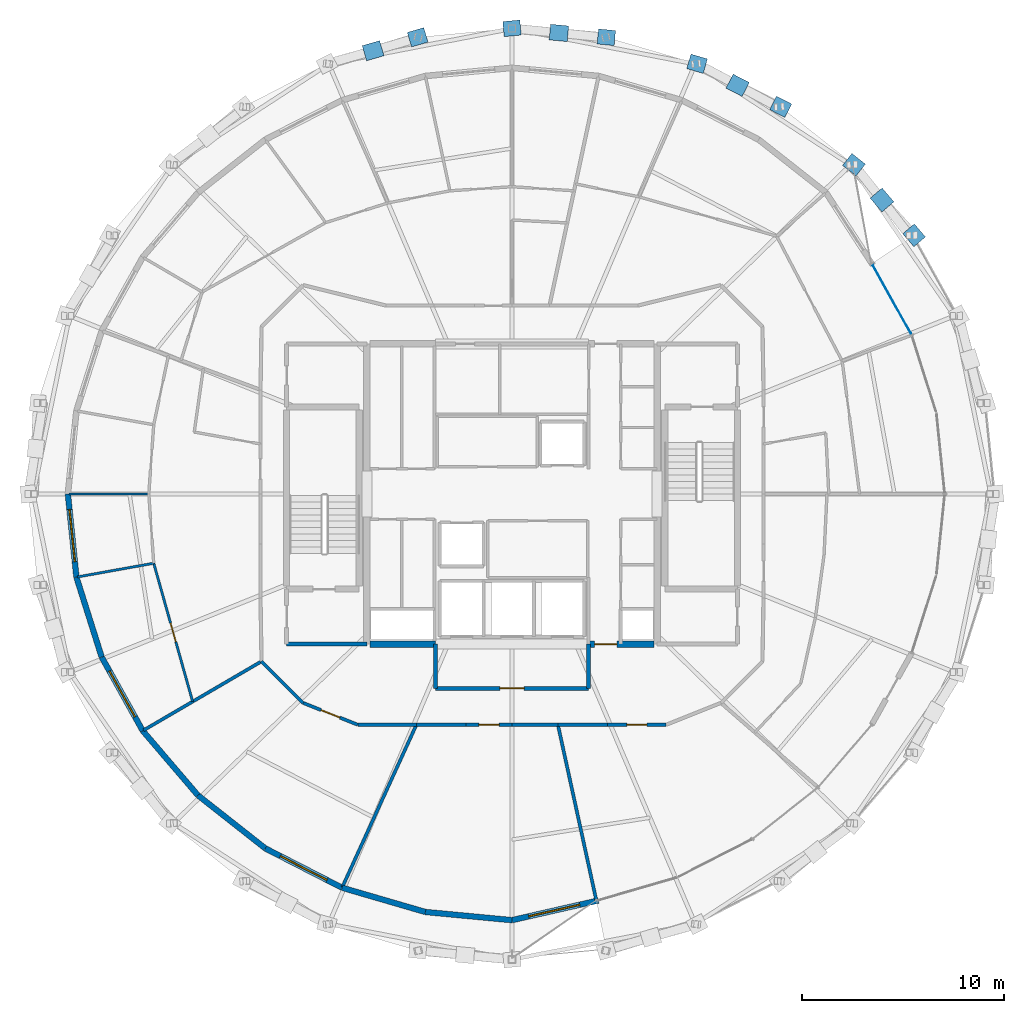
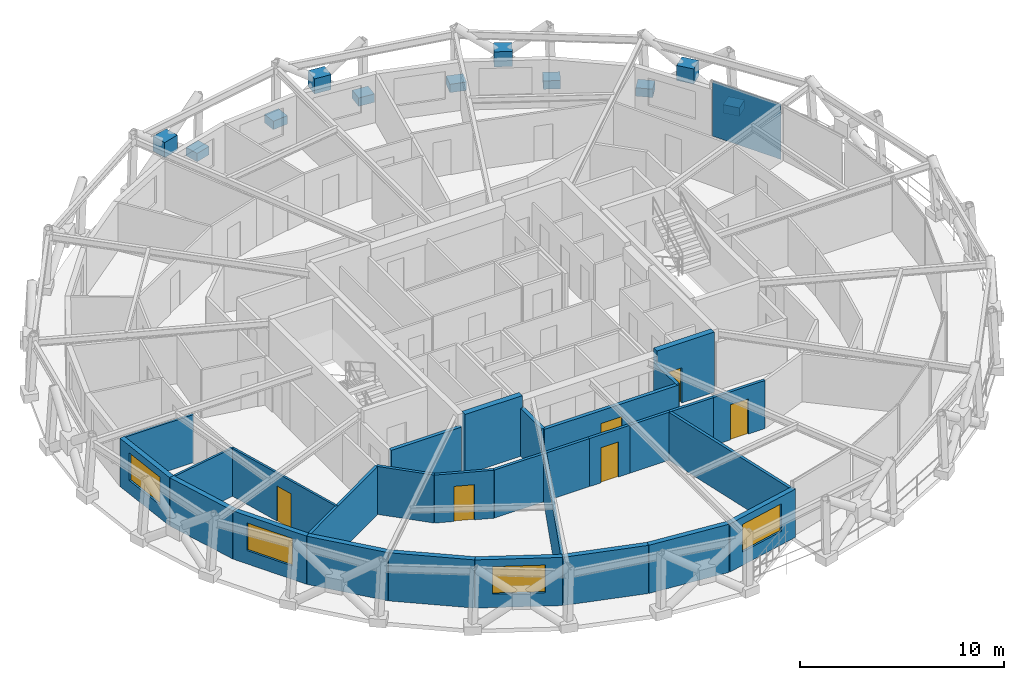
# One storey, part 11 of 17: 29 walls, 12 plates, 6 doors, 4 windows, 10 openings, 1 element without a shape of its own.
"""IFC4 building model written with IfcOpenShell, lengths in metres."""

from ifc_helpers import new_model, si_unit, direction, frame, frame_2d, origin, origin_2d, place, context, subcontext, project, spatial, rectangle, extrude, material, layer, layer_set, type_object, element, fill, aggregate, save


model = new_model("IFC4")

# Units and contexts
model_context = context("Model", 3, precision=1e-05, world=origin(), true_north=direction((0.0, 1.0)))
body_context = subcontext(model_context, "Body", "Model", "MODEL_VIEW")
ifc_project = project(units=[si_unit("LENGTHUNIT", "METRE"), si_unit("AREAUNIT", "SQUARE_METRE"), si_unit("VOLUMEUNIT", "CUBIC_METRE"), si_unit("PLANEANGLEUNIT", "RADIAN"), si_unit("MASSUNIT", "GRAM", prefix="KILO")], contexts=[model_context])

# Site, building, storey
site_placement = place(None, origin())
site = spatial("IfcSite", under=ifc_project, at=site_placement, CompositionType="ELEMENT")
building_placement = place(site_placement, origin())
building = spatial("IfcBuilding", under=site, at=building_placement, Name="Veldorina Hangang Commons", CompositionType="ELEMENT")
storey_placement = place(building_placement, frame((0.0, 0.0, 236.39990234375)))
storey = spatial("IfcBuildingStorey", under=building, at=storey_placement, Name="L61", CompositionType="ELEMENT", Elevation=236.39990234375)

# Curtain wall, plate
ifc_material_1 = material(Name="Glass Low-E Selective", Category="glass")
ifc_layer_1 = layer(ifc_material_1, 0.179931640625)
ifc_layer_set_1 = layer_set([ifc_layer_1], Name="Glass Low-E Selective")
curtain_wall_type = type_object("IfcCurtainWallType", Name="CW-SYS-Z3", PredefinedType="NOTDEFINED", material=ifc_layer_set_1)
curtain_wall_placement = place(storey_placement, origin())
curtain_wall = element("IfcCurtainWall", 1, at=curtain_wall_placement, inside=storey, type_object=curtain_wall_type, Name="L61 unitised curtain wall CW-L61-R2", PredefinedType="NOTDEFINED")
ifc_material_2 = material(Name="Glass Low-E Triple IGU", Category="glass")
ifc_layer_2 = layer(ifc_material_2, 0.0400390625)
ifc_layer_set_2 = layer_set([ifc_layer_2], Name="Glass Low-E Triple IGU")
plate_type_1 = type_object("IfcPlateType", Name="CW-PNL-VIS", PredefinedType="CURTAIN_PANEL", material=ifc_layer_set_2)
plate_1_placement = place(storey_placement, frame((50.84912109375, 33.657470703125, 0.01513671875), z_axis=(0.0, 0.0, 1.0), x_axis=(-0.487021489454, 0.873389986667, 0.0)))
plate_1 = element("IfcPlate", 2, at=plate_1_placement, type_object=plate_type_1, Name="CW-L61-R2 facet 5 glazed vision panel", PredefinedType="CURTAIN_PANEL", context=body_context, shape_type="SweptSolid", body=[
    extrude(rectangle(XDim=3.89501953125, YDim=0.0400390625, at=origin_2d()), origin(), (0.0, 0.0, 1.0), 3.2900390625),
])
aggregate(curtain_wall, [plate_1])

# Plates
ifc_material_3 = material(Name="Steel SM460-TMC", Category="steel")
ifc_layer_3 = layer(ifc_material_3, 0.035888671875)
ifc_layer_set_3 = layer_set([ifc_layer_3], Name="Steel SM460-TMC")
plate_type_2 = type_object("IfcPlateType", Name="PL-STAR-36", PredefinedType="USERDEFINED", material=ifc_layer_set_3)
plate_2_placement = place(storey_placement, frame((51.9521484375, 36.837158203125, -0.08984375), z_axis=(0.0, 0.0, 1.0), x_axis=(-0.648664680463, 0.761074327724, 0.0)))
element("IfcPlate", 3, at=plate_2_placement, inside=storey, type_object=plate_type_2, Name="L61 diagrid star-node gusset plate 03", ObjectType="GUSSET PLATE", PredefinedType="USERDEFINED", context=body_context, shape_type="SweptSolid", body=[
    extrude(rectangle(XDim=0.85009765625, YDim=0.75, at=origin_2d()), origin(), (0.0, 0.0, 1.0), 0.5),
])
plate_3_placement = place(storey_placement, frame((50.3603515625, 38.587890625, 1.354736328125), z_axis=(0.0, 0.0, 1.0), x_axis=(-0.648664680463, 0.761074327724, 0.0)))
element("IfcPlate", 4, at=plate_3_placement, inside=storey, type_object=plate_type_2, Name="L61 diagrid X-crossing star-node gusset plate 03", ObjectType="GUSSET PLATE", PredefinedType="USERDEFINED", context=body_context, shape_type="SweptSolid", body=[
    extrude(rectangle(XDim=0.89990234375, YDim=0.780029296875, at=origin_2d()), origin(), (0.0, 0.0, 1.0), 0.89990234375),
])
for number, where, z_axis, x_axis, name in (
    (5, (48.968017578125, 40.33837890625, -0.08984375), (0.0, 0.0, 1.0), (-0.784592443852, 0.620011852347, 0.0), "L61 diagrid star-node gusset plate 04"),
    (6, (45.33154296875, 43.2119140625, -0.08984375), (0.0, 0.0, 1.0), (-0.889136982129, 0.457641155285, 0.0), "L61 diagrid star-node gusset plate 05"),
):
    element("IfcPlate", number, at=place(storey_placement, frame(where, z_axis=z_axis, x_axis=x_axis)), inside=storey, type_object=plate_type_2, Name=name, ObjectType="GUSSET PLATE", PredefinedType="USERDEFINED", context=body_context, shape_type="SweptSolid", body=[
        extrude(rectangle(XDim=0.85009765625, YDim=0.75, at=origin_2d()), origin(), (0.0, 0.0, 1.0), 0.5),
    ])
plate_4_placement = place(storey_placement, frame((43.19580078125, 44.27880859375, 1.3583984375), z_axis=(0.0, 0.0, 1.0), x_axis=(-0.889136982129, 0.457641155285, 0.0)))
element("IfcPlate", 7, at=plate_4_placement, inside=storey, type_object=plate_type_2, Name="L61 diagrid X-crossing star-node gusset plate 05", ObjectType="GUSSET PLATE", PredefinedType="USERDEFINED", context=body_context, shape_type="SweptSolid", body=[
    extrude(rectangle(XDim=0.89990234375, YDim=0.780029296875, at=origin_2d()), origin(), (0.0, 0.0, 1.0), 0.89990234375),
])
for number, where, z_axis, x_axis, name in (
    (8, (41.18310546875, 45.347412109375, -0.08984375), (0.0, 0.0, 1.0), (-0.959893418656, 0.28036516335, 0.0), "L61 diagrid star-node gusset plate 06"),
    (9, (36.681396484375, 46.662109375, -0.08984375), (0.0, 0.0, 1.0), (-0.995532350476, 0.094421073685, 0.0), "L61 diagrid star-node gusset plate 07"),
):
    element("IfcPlate", number, at=place(storey_placement, frame(where, z_axis=z_axis, x_axis=x_axis)), inside=storey, type_object=plate_type_2, Name=name, ObjectType="GUSSET PLATE", PredefinedType="USERDEFINED", context=body_context, shape_type="SweptSolid", body=[
        extrude(rectangle(XDim=0.85009765625, YDim=0.75, at=origin_2d()), origin(), (0.0, 0.0, 1.0), 0.5),
    ])
plate_5_placement = place(storey_placement, frame((34.327392578125, 46.879150390625, 1.3603515625), z_axis=(0.0, 0.0, 1.0), x_axis=(-0.995532350476, 0.094421073685, 0.0)))
element("IfcPlate", 10, at=plate_5_placement, inside=storey, type_object=plate_type_2, Name="L61 diagrid X-crossing star-node gusset plate 07", ObjectType="GUSSET PLATE", PredefinedType="USERDEFINED", context=body_context, shape_type="SweptSolid", body=[
    extrude(rectangle(XDim=0.89990234375, YDim=0.780029296875, at=origin_2d()), origin(), (0.0, 0.0, 1.0), 0.89990234375),
])
for number, where, z_axis, x_axis, name in (
    (11, (32.0, 47.106201171875, -0.08984375), (0.0, 0.0, 1.0), (-0.995532350476, -0.094421073685, 0.0), "L61 diagrid star-node gusset plate 08"),
    (12, (27.318603515625, 46.662109375, -0.08984375), (0.0, 0.0, 1.0), (-0.959893418656, -0.28036516335, 0.0), "L61 diagrid star-node gusset plate 09"),
):
    element("IfcPlate", number, at=place(storey_placement, frame(where, z_axis=z_axis, x_axis=x_axis)), inside=storey, type_object=plate_type_2, Name=name, ObjectType="GUSSET PLATE", PredefinedType="USERDEFINED", context=body_context, shape_type="SweptSolid", body=[
        extrude(rectangle(XDim=0.85009765625, YDim=0.75, at=origin_2d()), origin(), (0.0, 0.0, 1.0), 0.5),
    ])
plate_6_placement = place(storey_placement, frame((25.108154296875, 45.99560546875, 1.359619140625), z_axis=(0.0, 0.0, 1.0), x_axis=(-0.959893418656, -0.28036516335, 0.0)))
element("IfcPlate", 13, at=plate_6_placement, inside=storey, type_object=plate_type_2, Name="L61 diagrid X-crossing star-node gusset plate 09", ObjectType="GUSSET PLATE", PredefinedType="USERDEFINED", context=body_context, shape_type="SweptSolid", body=[
    extrude(rectangle(XDim=0.89990234375, YDim=0.780029296875, at=origin_2d()), origin(), (0.0, 0.0, 1.0), 0.89990234375),
])

# Wall
ifc_material_4 = material(Name="Concrete C50/60", Category="concrete")
ifc_layer_4 = layer(ifc_material_4, 0.320068359375)
ifc_layer_set_4 = layer_set([ifc_layer_4], Name="Concrete C50/60")
wall_type_1 = type_object("IfcWallType", Name="CW-RC320-C50", PredefinedType="SHEAR", material=ifc_layer_set_4)
wall_1_placement = place(storey_placement, frame((24.9599609375, 16.550048828125, 0.0), z_axis=(0.0, 0.0, 1.0), x_axis=(1.0, 0.0, 0.0)))
element("IfcWall", 14, at=wall_1_placement, inside=storey, type_object=wall_type_1, Name="L61 south-west core shear wall", PredefinedType="SHEAR", context=body_context, shape_type="SweptSolid", body=[
    extrude(rectangle(XDim=3.239990234375, YDim=0.320068359375, at=frame_2d((1.6201171875, 0.0))), origin(), (0.0, 0.0, 1.0), 3.60009765625),
])

# Wall, opening, door
wall_2_placement = place(storey_placement, frame((35.800048828125, 16.550048828125, 0.0), z_axis=(0.0, 0.0, 1.0), x_axis=(1.0, 0.0, 0.0)))
wall_2 = element("IfcWall", 15, at=wall_2_placement, inside=storey, type_object=wall_type_1, Name="L61 south-east core shear wall", PredefinedType="SHEAR", context=body_context, shape_type="SweptSolid", body=[
    extrude(rectangle(XDim=3.239990234375, YDim=0.320068359375, at=frame_2d((1.6201171875, 0.0))), origin(), (0.0, 0.0, 1.0), 3.60009765625),
])
opening_1_placement = place(wall_2_placement, frame((0.300048828125, 0.0, 0.0)))
opening_1 = element("IfcOpeningElement", 16, at=opening_1_placement, cuts=wall_2, Name="Opening D-08", PredefinedType="OPENING", context=body_context, shape_type="SweptSolid", body=[
    extrude(rectangle(XDim=1.10009765625, YDim=2.10009765625, at=frame_2d((0.550048828125, 1.050048828125))), frame((0.0, 0.169921875, 0.0), z_axis=(0.0, -1.0, 0.0), x_axis=(1.0, 0.0, 0.0)), (0.0, 0.0, 1.0), 0.340087890625),
])
ifc_material_5 = material(Name="Steel Fire-Rated Smoke Seal", Category="steel")
door_type_1 = type_object("IfcDoorType", Name="DR-FIRE-1100", OperationType="SINGLE_SWING_RIGHT", PredefinedType="DOOR", material=ifc_material_5)
door_1_placement = place(opening_1_placement, origin())
door_1 = element("IfcDoor", 17, at=door_1_placement, inside=storey, type_object=door_type_1, Name="L61 central lift lobby south corridor door", OperationType="SINGLE_SWING_RIGHT", OverallHeight=2.10009765625, OverallWidth=1.10009765625, PredefinedType="DOOR", context=body_context, shape_type="SweptSolid", body=[
    extrude(rectangle(XDim=1.10009765625, YDim=2.10009765625, at=frame_2d((0.550048828125, 1.050048828125))), frame((0.0, 0.02490234375, 0.0), z_axis=(0.0, -1.0, 0.0), x_axis=(1.0, 0.0, 0.0)), (0.0, 0.0, 1.0), 0.050048828125),
])
fill(opening_1, door_1)

# Wall, opening, window
ifc_material_6 = material(Name="Stone Roman Travertine", Category="masonry")
ifc_layer_5 = layer(ifc_material_6, 0.280029296875)
ifc_layer_set_5 = layer_set([ifc_layer_5], Name="Stone Roman Travertine")
wall_type_2 = type_object("IfcWallType", Name="EW-TRAV-280", PredefinedType="STANDARD", material=ifc_layer_set_5)
wall_3_placement = place(storey_placement, frame((9.963623046875, 24.0, 0.0), z_axis=(0.0, 0.0, 1.0), x_axis=(0.102137908712, -0.994770248652, 0.0)))
wall_3 = element("IfcWall", 18, at=wall_3_placement, inside=storey, type_object=wall_type_2, Name="L61 travertine facade wall 16", PredefinedType="STANDARD", context=body_context, shape_type="SweptSolid", body=[
    extrude(rectangle(XDim=4.147216796875, YDim=0.280029296875, at=frame_2d((2.07373046875, 0.0))), origin(), (0.0, 0.0, 1.0), 2.880126953125),
])
opening_2_placement = place(wall_3_placement, frame((0.7734375, 0.0, 0.800048828125)))
opening_2 = element("IfcOpeningElement", 19, at=opening_2_placement, cuts=wall_3, Name="Opening W-02", PredefinedType="OPENING", context=body_context, shape_type="SweptSolid", body=[
    extrude(rectangle(XDim=2.60009765625, YDim=1.64990234375, at=frame_2d((1.300048828125, 0.824951171875))), frame((0.0, 0.14990234375, 0.0), z_axis=(0.0, -1.0, 0.0), x_axis=(1.0, 0.0, 0.0)), (0.0, 0.0, 1.0), 0.300048828125),
])
window_type = type_object("IfcWindowType", Name="WIN-TWR-2600", PartitioningType="SINGLE_PANEL", PredefinedType="WINDOW", material=ifc_material_2)
window_1_placement = place(opening_2_placement, origin())
window_1 = element("IfcWindow", 20, at=window_1_placement, inside=storey, type_object=window_type, Name="L61 facade window 16", OverallHeight=1.64990234375, OverallWidth=2.60009765625, PartitioningType="SINGLE_PANEL", PredefinedType="WINDOW", context=body_context, shape_type="SweptSolid", body=[
    extrude(rectangle(XDim=2.60009765625, YDim=1.64990234375, at=frame_2d((1.300048828125, 0.824951171875))), frame((0.0, 0.030029296875, 0.0), z_axis=(0.0, -1.0, 0.0), x_axis=(1.0, 0.0, 0.0)), (0.0, 0.0, 1.0), 0.06005859375),
])
fill(opening_2, window_1)

# Wall
wall_4_placement = place(storey_placement, frame((10.38720703125, 19.87451171875, 0.0), z_axis=(0.0, 0.0, 1.0), x_axis=(0.301400977057, -0.953497483494, 0.0)))
element("IfcWall", 21, at=wall_4_placement, inside=storey, type_object=wall_type_2, Name="L61 travertine facade wall 17", PredefinedType="STANDARD", context=body_context, shape_type="SweptSolid", body=[
    extrude(rectangle(XDim=4.16015625, YDim=0.280029296875, at=frame_2d((2.080078125, 0.0))), origin(), (0.0, 0.0, 1.0), 2.880126953125),
])

# Wall, opening, window
wall_5_placement = place(storey_placement, frame((11.64111328125, 15.90771484375, 0.0), z_axis=(0.0, 0.0, 1.0), x_axis=(0.486628377496, -0.873609078602, 0.0)))
wall_5 = element("IfcWall", 22, at=wall_5_placement, inside=storey, type_object=wall_type_2, Name="L61 travertine facade wall 18", PredefinedType="STANDARD", context=body_context, shape_type="SweptSolid", body=[
    extrude(rectangle(XDim=4.1845703125, YDim=0.280029296875, at=frame_2d((2.09228515625, 0.0))), origin(), (0.0, 0.0, 1.0), 2.880126953125),
])
opening_3_placement = place(wall_5_placement, frame((0.79248046875, 0.0, 0.800048828125)))
opening_3 = element("IfcOpeningElement", 23, at=opening_3_placement, cuts=wall_5, Name="Opening W-02", PredefinedType="OPENING", context=body_context, shape_type="SweptSolid", body=[
    extrude(rectangle(XDim=2.60009765625, YDim=1.64990234375, at=frame_2d((1.300048828125, 0.824951171875))), frame((0.0, 0.14990234375, 0.0), z_axis=(0.0, -1.0, 0.0), x_axis=(1.0, 0.0, 0.0)), (0.0, 0.0, 1.0), 0.300048828125),
])
window_2_placement = place(opening_3_placement, origin())
window_2 = element("IfcWindow", 24, at=window_2_placement, inside=storey, type_object=window_type, Name="L61 facade window 18", OverallHeight=1.64990234375, OverallWidth=2.60009765625, PartitioningType="SINGLE_PANEL", PredefinedType="WINDOW", context=body_context, shape_type="SweptSolid", body=[
    extrude(rectangle(XDim=2.60009765625, YDim=1.64990234375, at=frame_2d((1.300048828125, 0.824951171875))), frame((0.0, 0.030029296875, 0.0), z_axis=(0.0, -1.0, 0.0), x_axis=(1.0, 0.0, 0.0)), (0.0, 0.0, 1.0), 0.06005859375),
])
fill(opening_3, window_2)

# Walls
wall_6_placement = place(storey_placement, frame((13.677490234375, 12.251953125, 0.0), z_axis=(0.0, 0.0, 1.0), x_axis=(0.64992790189, -0.759995869952, 0.0)))
element("IfcWall", 25, at=wall_6_placement, inside=storey, type_object=wall_type_2, Name="L61 travertine facade wall 19", PredefinedType="STANDARD", context=body_context, shape_type="SweptSolid", body=[
    extrude(rectangle(XDim=4.216552734375, YDim=0.280029296875, at=frame_2d((2.1083984375, 0.0))), origin(), (0.0, 0.0, 1.0), 2.880126953125),
])
wall_7_placement = place(storey_placement, frame((16.41796875, 9.04736328125, 0.0), z_axis=(0.0, 0.0, 1.0), x_axis=(0.78564818009, -0.618673530322, 0.0)))
element("IfcWall", 26, at=wall_7_placement, inside=storey, type_object=wall_type_2, Name="L61 travertine facade wall 20", PredefinedType="STANDARD", context=body_context, shape_type="SweptSolid", body=[
    extrude(rectangle(XDim=4.25048828125, YDim=0.280029296875, at=frame_2d((2.125244140625, 0.0))), origin(), (0.0, 0.0, 1.0), 2.880126953125),
])

# Wall, opening, window
wall_8_placement = place(storey_placement, frame((19.75732421875, 6.417724609375, 0.0), z_axis=(0.0, 0.0, 1.0), x_axis=(0.889784216581, -0.456381471933, 0.0)))
wall_8 = element("IfcWall", 27, at=wall_8_placement, inside=storey, type_object=wall_type_2, Name="L61 travertine facade wall 21", PredefinedType="STANDARD", context=body_context, shape_type="SweptSolid", body=[
    extrude(rectangle(XDim=4.28173828125, YDim=0.280029296875, at=frame_2d((2.140869140625, 0.0))), origin(), (0.0, 0.0, 1.0), 2.880126953125),
])
opening_4_placement = place(wall_8_placement, frame((0.8408203125, 0.0, 0.800048828125)))
opening_4 = element("IfcOpeningElement", 28, at=opening_4_placement, cuts=wall_8, Name="Opening W-02", PredefinedType="OPENING", context=body_context, shape_type="SweptSolid", body=[
    extrude(rectangle(XDim=2.60009765625, YDim=1.64990234375, at=frame_2d((1.300048828125, 0.824951171875))), frame((0.0, 0.14990234375, 0.0), z_axis=(0.0, -1.0, 0.0), x_axis=(1.0, 0.0, 0.0)), (0.0, 0.0, 1.0), 0.300048828125),
])
window_3_placement = place(opening_4_placement, origin())
window_3 = element("IfcWindow", 29, at=window_3_placement, inside=storey, type_object=window_type, Name="L61 facade window 21", OverallHeight=1.64990234375, OverallWidth=2.60009765625, PartitioningType="SINGLE_PANEL", PredefinedType="WINDOW", context=body_context, shape_type="SweptSolid", body=[
    extrude(rectangle(XDim=2.60009765625, YDim=1.64990234375, at=frame_2d((1.300048828125, 0.824951171875))), frame((0.0, 0.030029296875, 0.0), z_axis=(0.0, -1.0, 0.0), x_axis=(1.0, 0.0, 0.0)), (0.0, 0.0, 1.0), 0.06005859375),
])
fill(opening_4, window_3)

# Walls
wall_9_placement = place(storey_placement, frame((23.567138671875, 4.463623046875, 0.0), z_axis=(0.0, 0.0, 1.0), x_axis=(0.960144675866, -0.279503490866, 0.0)))
element("IfcWall", 30, at=wall_9_placement, inside=storey, type_object=wall_type_2, Name="L61 travertine facade wall 22", PredefinedType="STANDARD", context=body_context, shape_type="SweptSolid", body=[
    extrude(rectangle(XDim=4.305419921875, YDim=0.280029296875, at=frame_2d((2.15283203125, 0.0))), origin(), (0.0, 0.0, 1.0), 2.880126953125),
])
wall_10_placement = place(storey_placement, frame((27.700927734375, 3.26025390625, 0.0), z_axis=(0.0, 0.0, 1.0), x_axis=(0.995564827598, -0.094078021076, 0.0)))
element("IfcWall", 31, at=wall_10_placement, inside=storey, type_object=wall_type_2, Name="L61 travertine facade wall 23", PredefinedType="STANDARD", context=body_context, shape_type="SweptSolid", body=[
    extrude(rectangle(XDim=4.318115234375, YDim=0.280029296875, at=frame_2d((2.1591796875, 0.0))), origin(), (0.0, 0.0, 1.0), 2.880126953125),
])

# Wall, opening, window
wall_11_placement = place(storey_placement, frame((32.0, 2.85400390625, 0.0), z_axis=(0.0, 0.0, 1.0), x_axis=(0.974962649588, 0.22236868464, 0.0)))
wall_11 = element("IfcWall", 32, at=wall_11_placement, inside=storey, type_object=wall_type_2, Name="L61 travertine facade wall 24", PredefinedType="STANDARD", context=body_context, shape_type="SweptSolid", body=[
    extrude(rectangle(XDim=4.389404296875, YDim=0.280029296875, at=frame_2d((2.19482421875, 0.0))), origin(), (0.0, 0.0, 1.0), 2.880126953125),
])
opening_5_placement = place(wall_11_placement, frame((0.8486328125, 0.0, 0.800048828125)))
opening_5 = element("IfcOpeningElement", 33, at=opening_5_placement, cuts=wall_11, Name="Opening W-02", PredefinedType="OPENING", context=body_context, shape_type="SweptSolid", body=[
    extrude(rectangle(XDim=2.60009765625, YDim=1.64990234375, at=frame_2d((1.300048828125, 0.824951171875))), frame((0.0, 0.14990234375, 0.0), z_axis=(0.0, -1.0, 0.0), x_axis=(1.0, 0.0, 0.0)), (0.0, 0.0, 1.0), 0.300048828125),
])
window_4_placement = place(opening_5_placement, origin())
window_4 = element("IfcWindow", 34, at=window_4_placement, inside=storey, type_object=window_type, Name="L61 facade window 24", OverallHeight=1.64990234375, OverallWidth=2.60009765625, PartitioningType="SINGLE_PANEL", PredefinedType="WINDOW", context=body_context, shape_type="SweptSolid", body=[
    extrude(rectangle(XDim=2.60009765625, YDim=1.64990234375, at=frame_2d((1.300048828125, 0.824951171875))), frame((0.0, 0.030029296875, 0.0), z_axis=(0.0, -1.0, 0.0), x_axis=(1.0, 0.0, 0.0)), (0.0, 0.0, 1.0), 0.06005859375),
])
fill(opening_5, window_4)

# Wall
ifc_material_7 = material(Name="Gypsum Fire-Rated Twin Stud Wall", Category="gypsum")
ifc_layer_6 = layer(ifc_material_7, 0.159912109375)
ifc_layer_set_6 = layer_set([ifc_layer_6], Name="Gypsum Fire-Rated Twin Stud Wall")
wall_type_3 = type_object("IfcWallType", Name="WL-FIRE-160", PredefinedType="SOLIDWALL", material=ifc_layer_set_6)
wall_12_placement = place(storey_placement, frame((19.5732421875, 15.69677734375, 0.0), z_axis=(0.0, 0.0, 1.0), x_axis=(0.707106781187, -0.707106781187, 0.0)))
element("IfcWall", 35, at=wall_12_placement, inside=storey, type_object=wall_type_3, Name="L61 Compact collar outer wall 19 075", PredefinedType="SOLIDWALL", context=body_context, shape_type="SweptSolid", body=[
    extrude(rectangle(XDim=2.915771484375, YDim=0.159912109375, at=frame_2d((1.4580078125, 0.0))), origin(), (0.0, 0.0, 1.0), 2.8701171875),
])

# Wall, opening, door
wall_13_placement = place(storey_placement, frame((21.635009765625, 13.635009765625, 0.0), z_axis=(0.0, 0.0, 1.0), x_axis=(0.92856882165, -0.371160266542, 0.0)))
wall_13 = element("IfcWall", 36, at=wall_13_placement, inside=storey, type_object=wall_type_3, Name="L61 Compact collar outer wall 20 076", PredefinedType="SOLIDWALL", context=body_context, shape_type="SweptSolid", body=[
    extrude(rectangle(XDim=2.923095703125, YDim=0.159912109375, at=frame_2d((1.46142578125, 0.0))), origin(), (0.0, 0.0, 1.0), 2.8701171875),
])
opening_6_placement = place(wall_13_placement, frame((0.961669921875, 0.0, 0.0)))
opening_6 = element("IfcOpeningElement", 37, at=opening_6_placement, cuts=wall_13, Name="Opening D-05", PredefinedType="OPENING", context=body_context, shape_type="SweptSolid", body=[
    extrude(rectangle(XDim=1.0, YDim=2.10009765625, at=frame_2d((0.5, 1.050048828125))), frame((0.0, 0.08984375, 0.0), z_axis=(0.0, -1.0, 0.0), x_axis=(1.0, 0.0, 0.0)), (0.0, 0.0, 1.0), 0.179931640625),
])
ifc_material_8 = material(Name="Timber Solid Core Acoustic", Category="wood")
door_type_2 = type_object("IfcDoorType", Name="DR-INT-1000", OperationType="SINGLE_SWING_RIGHT", PredefinedType="DOOR", material=ifc_material_8)
door_2_placement = place(opening_6_placement, origin())
door_2 = element("IfcDoor", 38, at=door_2_placement, inside=storey, type_object=door_type_2, Name="L61 Floor Study Room 5 door 046", OperationType="SINGLE_SWING_RIGHT", OverallHeight=2.10009765625, OverallWidth=1.0, PredefinedType="DOOR", context=body_context, shape_type="SweptSolid", body=[
    extrude(rectangle(XDim=1.0, YDim=2.10009765625, at=frame_2d((0.5, 1.050048828125))), frame((0.0, 0.02490234375, 0.0), z_axis=(0.0, -1.0, 0.0), x_axis=(1.0, 0.0, 0.0)), (0.0, 0.0, 1.0), 0.050048828125),
])
fill(opening_6, door_2)

# Walls
wall_14_placement = place(storey_placement, frame((24.349365234375, 12.550048828125, 0.0), z_axis=(0.0, 0.0, 1.0), x_axis=(1.0, 0.0, 0.0)))
element("IfcWall", 39, at=wall_14_placement, inside=storey, type_object=wall_type_3, Name="L61 Compact collar outer wall 21 077", PredefinedType="SOLIDWALL", context=body_context, shape_type="SweptSolid", body=[
    extrude(rectangle(XDim=2.907958984375, YDim=0.159912109375, at=frame_2d((1.4541015625, 0.0))), origin(), (0.0, 0.0, 1.0), 2.8701171875),
])
wall_15_placement = place(storey_placement, frame((27.25732421875, 12.550048828125, 0.0), z_axis=(0.0, 0.0, 1.0), x_axis=(1.0, 0.0, 0.0)))
element("IfcWall", 40, at=wall_15_placement, inside=storey, type_object=wall_type_3, Name="L61 Compact collar outer wall 22 078", PredefinedType="SOLIDWALL", context=body_context, shape_type="SweptSolid", body=[
    extrude(rectangle(XDim=2.465087890625, YDim=0.159912109375, at=frame_2d((1.232421875, 0.0))), origin(), (0.0, 0.0, 1.0), 2.8701171875),
])

# Wall, opening, door
wall_16_placement = place(storey_placement, frame((29.722412109375, 12.550048828125, 0.0), z_axis=(0.0, 0.0, 1.0), x_axis=(1.0, 0.0, 0.0)))
wall_16 = element("IfcWall", 41, at=wall_16_placement, inside=storey, type_object=wall_type_3, Name="L61 Compact collar outer wall 23 079", PredefinedType="SOLIDWALL", context=body_context, shape_type="SweptSolid", body=[
    extrude(rectangle(XDim=2.277587890625, YDim=0.159912109375, at=frame_2d((1.138671875, 0.0))), origin(), (0.0, 0.0, 1.0), 2.8701171875),
])
opening_7_placement = place(wall_16_placement, frame((0.638671875, 0.0, 0.0)))
opening_7 = element("IfcOpeningElement", 42, at=opening_7_placement, cuts=wall_16, Name="Opening D-05", PredefinedType="OPENING", context=body_context, shape_type="SweptSolid", body=[
    extrude(rectangle(XDim=1.0, YDim=2.10009765625, at=frame_2d((0.5, 1.050048828125))), frame((0.0, 0.08984375, 0.0), z_axis=(0.0, -1.0, 0.0), x_axis=(1.0, 0.0, 0.0)), (0.0, 0.0, 1.0), 0.179931640625),
])
door_3_placement = place(opening_7_placement, origin())
door_3 = element("IfcDoor", 43, at=door_3_placement, inside=storey, type_object=door_type_2, Name="L61 Floor Study Room 6 door 047", OperationType="SINGLE_SWING_LEFT", OverallHeight=2.10009765625, OverallWidth=1.0, PredefinedType="DOOR", context=body_context, shape_type="SweptSolid", body=[
    extrude(rectangle(XDim=1.0, YDim=2.10009765625, at=frame_2d((0.5, 1.050048828125))), frame((0.0, 0.02490234375, 0.0), z_axis=(0.0, -1.0, 0.0), x_axis=(1.0, 0.0, 0.0)), (0.0, 0.0, 1.0), 0.050048828125),
])
fill(opening_7, door_3)

# Walls
wall_17_placement = place(storey_placement, frame((32.0, 12.550048828125, 0.0), z_axis=(0.0, 0.0, 1.0), x_axis=(1.0, 0.0, 0.0)))
element("IfcWall", 44, at=wall_17_placement, inside=storey, type_object=wall_type_3, Name="L61 Compact collar outer wall 24 080", PredefinedType="SOLIDWALL", context=body_context, shape_type="SweptSolid", body=[
    extrude(rectangle(XDim=2.277587890625, YDim=0.159912109375, at=frame_2d((1.138671875, 0.0))), origin(), (0.0, 0.0, 1.0), 2.8701171875),
])
wall_18_placement = place(storey_placement, frame((34.277587890625, 12.550048828125, 0.0), z_axis=(0.0, 0.0, 1.0), x_axis=(1.0, 0.0, 0.0)))
element("IfcWall", 45, at=wall_18_placement, inside=storey, type_object=wall_type_3, Name="L61 Compact collar outer wall 25 081", PredefinedType="SOLIDWALL", context=body_context, shape_type="SweptSolid", body=[
    extrude(rectangle(XDim=2.465087890625, YDim=0.159912109375, at=frame_2d((1.232421875, 0.0))), origin(), (0.0, 0.0, 1.0), 2.8701171875),
])

# Wall, opening, door
wall_19_placement = place(storey_placement, frame((36.74267578125, 12.550048828125, 0.0), z_axis=(0.0, 0.0, 1.0), x_axis=(1.0, 0.0, 0.0)))
wall_19 = element("IfcWall", 46, at=wall_19_placement, inside=storey, type_object=wall_type_3, Name="L61 Compact collar outer wall 26 082", PredefinedType="SOLIDWALL", context=body_context, shape_type="SweptSolid", body=[
    extrude(rectangle(XDim=2.907958984375, YDim=0.159912109375, at=frame_2d((1.4541015625, 0.0))), origin(), (0.0, 0.0, 1.0), 2.8701171875),
])
opening_8_placement = place(wall_19_placement, frame((0.9541015625, 0.0, 0.0)))
opening_8 = element("IfcOpeningElement", 47, at=opening_8_placement, cuts=wall_19, Name="Opening D-05", PredefinedType="OPENING", context=body_context, shape_type="SweptSolid", body=[
    extrude(rectangle(XDim=1.0, YDim=2.10009765625, at=frame_2d((0.5, 1.050048828125))), frame((0.0, 0.08984375, 0.0), z_axis=(0.0, -1.0, 0.0), x_axis=(1.0, 0.0, 0.0)), (0.0, 0.0, 1.0), 0.179931640625),
])
door_4_placement = place(opening_8_placement, origin())
door_4 = element("IfcDoor", 48, at=door_4_placement, inside=storey, type_object=door_type_2, Name="L61 Seminar Focus Room 7 door 048", OperationType="SINGLE_SWING_RIGHT", OverallHeight=2.10009765625, OverallWidth=1.0, PredefinedType="DOOR", context=body_context, shape_type="SweptSolid", body=[
    extrude(rectangle(XDim=1.0, YDim=2.10009765625, at=frame_2d((0.5, 1.050048828125))), frame((0.0, 0.02490234375, 0.0), z_axis=(0.0, -1.0, 0.0), x_axis=(1.0, 0.0, 0.0)), (0.0, 0.0, 1.0), 0.050048828125),
])
fill(opening_8, door_4)

# Walls
wall_20_placement = place(storey_placement, frame((19.5732421875, 15.69677734375, 0.0), z_axis=(0.0, 0.0, 1.0), x_axis=(-0.863412899141, -0.504497934185, 0.0)))
element("IfcWall", 49, at=wall_20_placement, inside=storey, type_object=wall_type_3, Name="L61 Unit party wall 19 127", PredefinedType="SOLIDWALL", context=body_context, shape_type="SweptSolid", body=[
    extrude(rectangle(XDim=6.7783203125, YDim=0.159912109375, at=frame_2d((3.38916015625, 0.0))), origin(), (0.0, 0.0, 1.0), 2.8701171875),
])
wall_21_placement = place(storey_placement, frame((27.25732421875, 12.550048828125, 0.0), z_axis=(0.0, 0.0, 1.0), x_axis=(-0.415155197437, -0.909750604309, 0.0)))
element("IfcWall", 50, at=wall_21_placement, inside=storey, type_object=wall_type_3, Name="L61 Unit party wall 22 128", PredefinedType="SOLIDWALL", context=body_context, shape_type="SweptSolid", body=[
    extrude(rectangle(XDim=8.838623046875, YDim=0.159912109375, at=frame_2d((4.41943359375, 0.0))), origin(), (0.0, 0.0, 1.0), 2.8701171875),
])
wall_22_placement = place(storey_placement, frame((34.277587890625, 12.550048828125, 0.0), z_axis=(0.0, 0.0, 1.0), x_axis=(0.213730430707, -0.976892677314, 0.0)))
element("IfcWall", 51, at=wall_22_placement, inside=storey, type_object=wall_type_3, Name="L61 Unit party wall 25 129", PredefinedType="SOLIDWALL", context=body_context, shape_type="SweptSolid", body=[
    extrude(rectangle(XDim=8.897216796875, YDim=0.159912109375, at=frame_2d((4.44873046875, 0.0))), origin(), (0.0, 0.0, 1.0), 2.8701171875),
])
ifc_material_9 = material(Name="Concrete Blockwork Fire Wall C30/37", Category="masonry")
ifc_layer_7 = layer(ifc_material_9, 0.199951171875)
ifc_layer_set_7 = layer_set([ifc_layer_7], Name="Concrete Blockwork Fire Wall C30/37")
wall_type_4 = type_object("IfcWallType", Name="WL-FIRE-200", PredefinedType="SOLIDWALL", material=ifc_layer_set_7)
wall_23_placement = place(storey_placement, frame((20.820068359375, 16.550048828125, 0.0), z_axis=(0.0, 0.0, 1.0), x_axis=(1.0, 0.0, 0.0)))
element("IfcWall", 52, at=wall_23_placement, inside=storey, type_object=wall_type_4, Name="L61 West vestibule south wall 002", PredefinedType="SOLIDWALL", context=body_context, shape_type="SweptSolid", body=[
    extrude(rectangle(XDim=3.97998046875, YDim=0.199951171875, at=frame_2d((1.989990234375, 0.0))), origin(), (0.0, 0.0, 1.0), 2.8701171875),
])
for number, where, z_axis, x_axis, name in (
    (53, (28.199951171875, 14.35009765625, 0.0), (0.0, 0.0, 1.0), (0.0, 1.0, 0.0), "L61 FF lobby west wall 012"),
    (54, (35.800048828125, 14.35009765625, 0.0), (0.0, 0.0, 1.0), (0.0, 1.0, 0.0), "L61 FF lobby east wall 013"),
):
    element("IfcWall", number, at=place(storey_placement, frame(where, z_axis=z_axis, x_axis=x_axis)), inside=storey, type_object=wall_type_4, Name=name, PredefinedType="SOLIDWALL", context=body_context, shape_type="SweptSolid", body=[
        extrude(rectangle(XDim=2.199951171875, YDim=0.199951171875, at=frame_2d((1.10009765625, 0.0))), origin(), (0.0, 0.0, 1.0), 2.8701171875),
    ])

# Wall, opening, door
wall_24_placement = place(storey_placement, frame((28.199951171875, 14.35009765625, 0.0), z_axis=(0.0, 0.0, 1.0), x_axis=(1.0, 0.0, 0.0)))
wall_24 = element("IfcWall", 55, at=wall_24_placement, inside=storey, type_object=wall_type_4, Name="L61 FF lobby south wall 014", PredefinedType="SOLIDWALL", context=body_context, shape_type="SweptSolid", body=[
    extrude(rectangle(XDim=7.60009765625, YDim=0.199951171875, at=frame_2d((3.800048828125, 0.0))), origin(), (0.0, 0.0, 1.0), 2.8701171875),
])
opening_9_placement = place(wall_24_placement, frame((3.199951171875, 0.0, 0.0)))
opening_9 = element("IfcOpeningElement", 56, at=opening_9_placement, cuts=wall_24, Name="Opening D-09", PredefinedType="OPENING", context=body_context, shape_type="SweptSolid", body=[
    extrude(rectangle(XDim=1.199951171875, YDim=2.10009765625, at=frame_2d((0.60009765625, 1.050048828125))), frame((0.0, 0.10986328125, 0.0), z_axis=(0.0, -1.0, 0.0), x_axis=(1.0, 0.0, 0.0)), (0.0, 0.0, 1.0), 0.219970703125),
])
ifc_material_10 = material(Name="Steel Fire-Rated Corridor Door", Category="steel")
door_type_3 = type_object("IfcDoorType", Name="DR-FIRE-1200", OperationType="SINGLE_SWING_LEFT", PredefinedType="DOOR", material=ifc_material_10)
door_5_placement = place(opening_9_placement, origin())
door_5 = element("IfcDoor", 57, at=door_5_placement, inside=storey, type_object=door_type_3, Name="L61 FF lobby south corridor door 005", OperationType="SINGLE_SWING_LEFT", OverallHeight=2.10009765625, OverallWidth=1.199951171875, PredefinedType="DOOR", context=body_context, shape_type="SweptSolid", body=[
    extrude(rectangle(XDim=1.199951171875, YDim=2.10009765625, at=frame_2d((0.60009765625, 1.050048828125))), frame((0.0, 0.02490234375, 0.0), z_axis=(0.0, -1.0, 0.0), x_axis=(1.0, 0.0, 0.0)), (0.0, 0.0, 1.0), 0.050048828125),
])
fill(opening_9, door_5)

# Wall
ifc_material_11 = material(Name="Gypsum Acoustic Stud Partition", Category="gypsum")
ifc_layer_8 = layer(ifc_material_11, 0.1201171875)
ifc_layer_set_8 = layer_set([ifc_layer_8], Name="Gypsum Acoustic Stud Partition")
wall_type_5 = type_object("IfcWallType", Name="WL-PART-120", PredefinedType="PARTITIONING", material=ifc_layer_set_8)
wall_25_placement = place(storey_placement, frame((13.977294921875, 24.0, 0.0), z_axis=(0.0, 0.0, 1.0), x_axis=(-1.0, 0.0, 0.0)))
element("IfcWall", 58, at=wall_25_placement, inside=storey, type_object=wall_type_5, Name="L61 Cluster 4 bed divider 2 124", PredefinedType="PARTITIONING", context=body_context, shape_type="SweptSolid", body=[
    extrude(rectangle(XDim=3.963623046875, YDim=0.1201171875, at=frame_2d((1.98193359375, 0.0))), origin(), (0.0, 0.0, 1.0), 2.8701171875),
])

# Wall, opening, door
wall_26_placement = place(storey_placement, frame((14.222900390625, 20.564697265625, 0.0), z_axis=(0.0, 0.0, 1.0), x_axis=(0.270726742506, -0.962656237134, 0.0)))
wall_26 = element("IfcWall", 59, at=wall_26_placement, inside=storey, type_object=wall_type_5, Name="L61 Cluster 4 bed 4 front wall 125", PredefinedType="PARTITIONING", context=body_context, shape_type="SweptSolid", body=[
    extrude(rectangle(XDim=7.13232421875, YDim=0.1201171875, at=frame_2d((3.566162109375, 0.0))), origin(), (0.0, 0.0, 1.0), 2.8701171875),
])
opening_10_placement = place(wall_26_placement, frame((3.091064453125, 0.0, 0.0)))
opening_10 = element("IfcOpeningElement", 60, at=opening_10_placement, cuts=wall_26, Name="Opening D-02", PredefinedType="OPENING", context=body_context, shape_type="SweptSolid", body=[
    extrude(rectangle(XDim=0.949951171875, YDim=2.10009765625, at=frame_2d((0.47509765625, 1.050048828125))), frame((0.0, 0.070068359375, 0.0), z_axis=(0.0, -1.0, 0.0), x_axis=(1.0, 0.0, 0.0)), (0.0, 0.0, 1.0), 0.14013671875),
])
door_type_4 = type_object("IfcDoorType", Name="DR-INT-950", OperationType="SINGLE_SWING_LEFT", PredefinedType="DOOR", material=ifc_material_8)
door_6_placement = place(opening_10_placement, origin())
door_6 = element("IfcDoor", 61, at=door_6_placement, inside=storey, type_object=door_type_4, Name="L61 Cluster 4 bed 4 door 045", OperationType="SINGLE_SWING_LEFT", OverallHeight=2.10009765625, OverallWidth=0.949951171875, PredefinedType="DOOR", context=body_context, shape_type="SweptSolid", body=[
    extrude(rectangle(XDim=0.949951171875, YDim=2.10009765625, at=frame_2d((0.47509765625, 1.050048828125))), frame((0.0, 0.02490234375, 0.0), z_axis=(0.0, -1.0, 0.0), x_axis=(1.0, 0.0, 0.0)), (0.0, 0.0, 1.0), 0.050048828125),
])
fill(opening_10, door_6)

# Wall
wall_27_placement = place(storey_placement, frame((14.222900390625, 20.564697265625, 0.0), z_axis=(0.0, 0.0, 1.0), x_axis=(-0.984203232283, -0.177042360933, 0.0)))
element("IfcWall", 62, at=wall_27_placement, inside=storey, type_object=wall_type_5, Name="L61 Cluster 4 bed divider 3 126", PredefinedType="PARTITIONING", context=body_context, shape_type="SweptSolid", body=[
    extrude(rectangle(XDim=3.847412109375, YDim=0.1201171875, at=frame_2d((1.923828125, 0.0))), origin(), (0.0, 0.0, 1.0), 2.8701171875),
])

save(model, "model.ifc")
